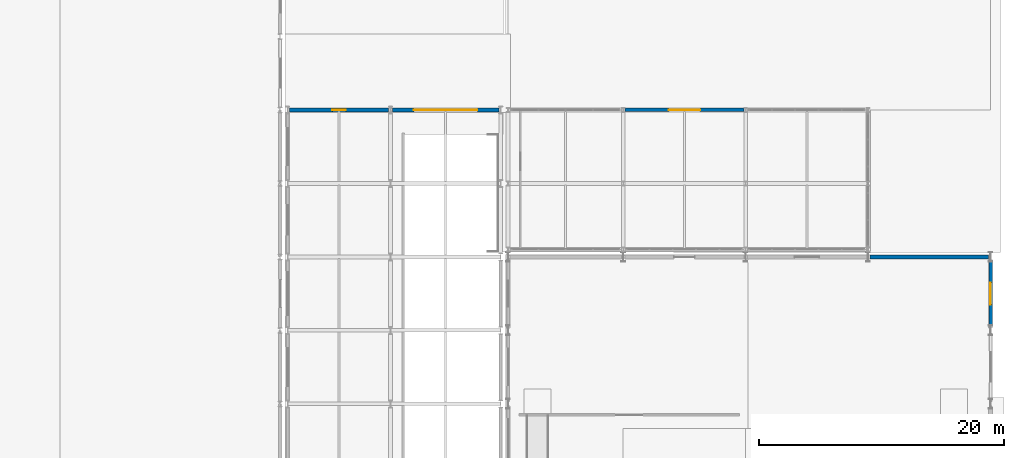
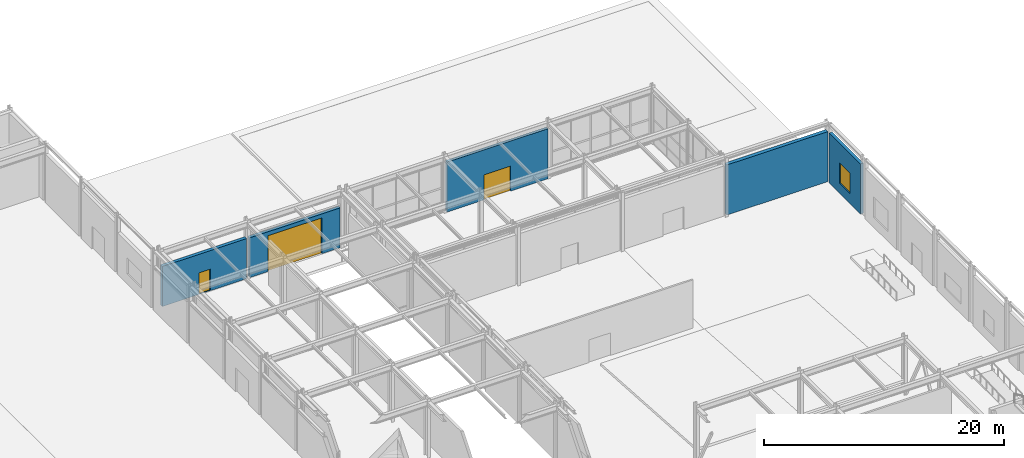
# One storey, part 127 of 146: 5 walls, 3 doors, 1 window, 4 openings.
"""IFC4 building model written with IfcOpenShell, lengths in metres."""

from ifc_helpers import new_model, si_unit, direction, frame, frame_2d, origin, place, context, subcontext, project, spatial, rectangle, extrude, material, layer, layer_set, type_object, element, fill, save


model = new_model("IFC4")

# Units and contexts
model_context = context("Model", 3, precision=1e-05, world=origin(), true_north=direction((0.0, 1.0)))
body_context = subcontext(model_context, "Body", "Model", "MODEL_VIEW")
ifc_project = project(units=[si_unit("LENGTHUNIT", "METRE"), si_unit("AREAUNIT", "SQUARE_METRE"), si_unit("VOLUMEUNIT", "CUBIC_METRE"), si_unit("PLANEANGLEUNIT", "RADIAN"), si_unit("MASSUNIT", "GRAM", prefix="KILO")], contexts=[model_context])

# Site, building, storey
site_placement = place(None, origin())
site = spatial("IfcSite", under=ifc_project, at=site_placement, CompositionType="ELEMENT")
building_placement = place(site_placement, origin())
building = spatial("IfcBuilding", under=site, at=building_placement, Name="Kaldris Quays Convention Centre", CompositionType="ELEMENT")
storey_placement = place(building_placement, origin())
storey = spatial("IfcBuildingStorey", under=building, at=storey_placement, Name="L00", CompositionType="ELEMENT", Elevation=0.0)

# Wall
ifc_material_1 = material(Name="Concrete C35/45", Category="concrete")
ifc_layer_1 = layer(ifc_material_1, 0.344970703125)
ifc_layer_set_1 = layer_set([ifc_layer_1], Name="Concrete C35/45")
wall_type_1 = type_object("IfcWallType", Name="EXTERIOR WALL EW01", PredefinedType="STANDARD", material=ifc_layer_set_1)
wall_1_placement = place(storey_placement, frame((194.14599609375, 104.0, 0.0), z_axis=(0.0, 0.0, 1.0), x_axis=(1.0, 0.0, 0.0)))
element("IfcWall", 1, at=wall_1_placement, inside=storey, type_object=wall_type_1, Name="L00 Exterior Wall EW01 99", PredefinedType="STANDARD", context=body_context, shape_type="SweptSolid", body=[
    extrude(rectangle(XDim=9.7080078125, YDim=0.344970703125, at=frame_2d((4.85400390625, 0.0))), origin(), (0.0, 0.0, 1.0), 5.10009765625),
])

# Wall, opening, door
ifc_layer_2 = layer(ifc_material_1, 0.31201171875)
ifc_layer_set_2 = layer_set([ifc_layer_2], Name="Concrete C35/45")
wall_type_2 = type_object("IfcWallType", Name="EXTERIOR WALL EW02", PredefinedType="STANDARD", material=ifc_layer_set_2)
wall_2_placement = place(storey_placement, frame((146.74609375, 116.0, 0.0), z_axis=(0.0, 0.0, 1.0), x_axis=(1.0, 0.0, 0.0)))
wall_2 = element("IfcWall", 2, at=wall_2_placement, inside=storey, type_object=wall_type_2, Name="L00 Exterior Wall EW02 287", PredefinedType="STANDARD", context=body_context, shape_type="SweptSolid", body=[
    extrude(rectangle(XDim=8.10791015625, YDim=0.31201171875, at=frame_2d((4.053955078125, 0.0))), origin(), (0.0, 0.0, 1.0), 4.080078125),
])
opening_1_placement = place(wall_2_placement, frame((3.50390625, 0.0, 0.0)))
opening_1 = element("IfcOpeningElement", 3, at=opening_1_placement, cuts=wall_2, Name="Opening ED05", PredefinedType="OPENING", context=body_context, shape_type="SweptSolid", body=[
    extrude(rectangle(XDim=1.10009765625, YDim=2.199951171875, at=frame_2d((0.550048828125, 1.10009765625))), frame((0.0, 0.166015625, 0.0), z_axis=(0.0, -1.0, 0.0), x_axis=(1.0, 0.0, 0.0)), (0.0, 0.0, 1.0), 0.33203125),
])
ifc_material_2 = material(Name="Thermally broken anodized aluminium and laminated safety glass", Category="aluminium")
door_type_1 = type_object("IfcDoorType", Name="EXTERIOR DOOR ED05", OperationType="NOTDEFINED", PredefinedType="DOOR", material=ifc_material_2)
door_1_placement = place(opening_1_placement, origin())
door_1 = element("IfcDoor", 4, at=door_1_placement, inside=storey, type_object=door_type_1, Name="L00 Exterior Exit Door ED05 33", OperationType="SINGLE_SWING_LEFT", OverallHeight=2.199951171875, OverallWidth=1.10009765625, PredefinedType="DOOR", context=body_context, shape_type="SweptSolid", body=[
    extrude(rectangle(XDim=1.10009765625, YDim=2.199951171875, at=frame_2d((0.550048828125, 1.10009765625))), frame((0.0, 0.02490234375, 0.0), z_axis=(0.0, -1.0, 0.0), x_axis=(1.0, 0.0, 0.0)), (0.0, 0.0, 1.0), 0.050048828125),
])
fill(opening_1, door_1)

wall_3_placement = place(storey_placement, frame((155.14599609375, 116.0, 0.0), z_axis=(0.0, 0.0, 1.0), x_axis=(1.0, 0.0, 0.0)))
wall_3 = element("IfcWall", 5, at=wall_3_placement, inside=storey, type_object=wall_type_2, Name="L00 Exterior Wall EW02 288", PredefinedType="STANDARD", context=body_context, shape_type="SweptSolid", body=[
    extrude(rectangle(XDim=8.7080078125, YDim=0.31201171875, at=frame_2d((4.35400390625, 0.0))), origin(), (0.0, 0.0, 1.0), 4.050048828125),
])
opening_2_placement = place(wall_3_placement, frame((1.75390625, 0.0, 0.0)))
opening_2 = element("IfcOpeningElement", 6, at=opening_2_placement, cuts=wall_3, Name="Opening VD01", PredefinedType="OPENING", context=body_context, shape_type="SweptSolid", body=[
    extrude(rectangle(XDim=5.199951171875, YDim=3.64990234375, at=frame_2d((2.60009765625, 1.824951171875))), frame((0.0, 0.166015625, 0.0), z_axis=(0.0, -1.0, 0.0), x_axis=(1.0, 0.0, 0.0)), (0.0, 0.0, 1.0), 0.33203125),
])
door_type_2 = type_object("IfcDoorType", Name="EXTERIOR GATE VD01", OperationType="ROLLINGUP", PredefinedType="GATE", material=ifc_material_2)
door_2_placement = place(opening_2_placement, origin())
door_2 = element("IfcDoor", 7, at=door_2_placement, inside=storey, type_object=door_type_2, Name="L00 Exterior Exit Door VD01 34", OperationType="ROLLINGUP", OverallHeight=3.64990234375, OverallWidth=5.199951171875, PredefinedType="GATE", context=body_context, shape_type="SweptSolid", body=[
    extrude(rectangle(XDim=5.199951171875, YDim=3.64990234375, at=frame_2d((2.60009765625, 1.824951171875))), frame((0.0, 0.02490234375, 0.0), z_axis=(0.0, -1.0, 0.0), x_axis=(1.0, 0.0, 0.0)), (0.0, 0.0, 1.0), 0.050048828125),
])
fill(opening_2, door_2)

# Wall, opening, window
ifc_material_3 = material(Name="Precast concrete C40/50", Category="concrete")
ifc_layer_3 = layer(ifc_material_3, 0.2880859375)
ifc_layer_set_3 = layer_set([ifc_layer_3], Name="Precast concrete C40/50")
wall_type_3 = type_object("IfcWallType", Name="EXTERIOR WALL EW03", PredefinedType="STANDARD", material=ifc_layer_set_3)
wall_4_placement = place(storey_placement, frame((204.0, 98.39599609375, 0.0), z_axis=(0.0, 0.0, 1.0), x_axis=(0.0, 1.0, 0.0)))
wall_4 = element("IfcWall", 8, at=wall_4_placement, inside=storey, type_object=wall_type_3, Name="L00 Exterior Wall EW03 114", PredefinedType="STANDARD", context=body_context, shape_type="SweptSolid", body=[
    extrude(rectangle(XDim=5.2080078125, YDim=0.2880859375, at=frame_2d((2.60400390625, 0.0))), origin(), (0.0, 0.0, 1.0), 5.10009765625),
])
opening_3_placement = place(wall_4_placement, frame((1.7041015625, 0.0, 1.0)))
opening_3 = element("IfcOpeningElement", 9, at=opening_3_placement, cuts=wall_4, Name="Opening WN03", PredefinedType="OPENING", context=body_context, shape_type="SweptSolid", body=[
    extrude(rectangle(XDim=1.800048828125, YDim=2.10009765625, at=frame_2d((0.89990234375, 1.050048828125))), frame((0.0, 0.154052734375, 0.0), z_axis=(0.0, -1.0, 0.0), x_axis=(1.0, 0.0, 0.0)), (0.0, 0.0, 1.0), 0.30810546875),
])
ifc_material_4 = material(Name="Triple low-E insulated glazing", Category="glass")
window_type = type_object("IfcWindowType", Name="TRIPLE GLAZED WINDOW WN03", PartitioningType="SINGLE_PANEL", PredefinedType="WINDOW", material=ifc_material_4)
window_placement = place(opening_3_placement, origin())
window = element("IfcWindow", 10, at=window_placement, inside=storey, type_object=window_type, Name="L00 Exterior Window WN03 35", OverallHeight=2.10009765625, OverallWidth=1.800048828125, PartitioningType="SINGLE_PANEL", PredefinedType="WINDOW", context=body_context, shape_type="SweptSolid", body=[
    extrude(rectangle(XDim=1.800048828125, YDim=2.10009765625, at=frame_2d((0.89990234375, 1.050048828125))), frame((0.0, 0.030029296875, 0.0), z_axis=(0.0, -1.0, 0.0), x_axis=(1.0, 0.0, 0.0)), (0.0, 0.0, 1.0), 0.06005859375),
])
fill(opening_3, window)

# Wall, opening, door
wall_5_placement = place(storey_placement, frame((174.14599609375, 116.0, 0.0), z_axis=(0.0, 0.0, 1.0), x_axis=(1.0, 0.0, 0.0)))
wall_5 = element("IfcWall", 11, at=wall_5_placement, inside=storey, type_object=wall_type_3, Name="L00 Exterior Wall EW03 359", PredefinedType="STANDARD", context=body_context, shape_type="SweptSolid", body=[
    extrude(rectangle(XDim=9.7080078125, YDim=0.2880859375, at=frame_2d((4.85400390625, 0.0))), origin(), (0.0, 0.0, 1.0), 5.097900390625),
])
opening_4_placement = place(wall_5_placement, frame((3.5791015625, 0.0, 0.0)))
opening_4 = element("IfcOpeningElement", 12, at=opening_4_placement, cuts=wall_5, Name="Opening ED11", PredefinedType="OPENING", context=body_context, shape_type="SweptSolid", body=[
    extrude(rectangle(XDim=2.550048828125, YDim=2.550048828125, at=frame_2d((1.27490234375, 1.27490234375))), frame((0.0, 0.154052734375, 0.0), z_axis=(0.0, -1.0, 0.0), x_axis=(1.0, 0.0, 0.0)), (0.0, 0.0, 1.0), 0.30810546875),
])
door_type_3 = type_object("IfcDoorType", Name="EXTERIOR DOOR ED11", OperationType="DOUBLE_DOOR_SINGLE_SWING", PredefinedType="DOOR", material=ifc_material_2)
door_3_placement = place(opening_4_placement, origin())
door_3 = element("IfcDoor", 13, at=door_3_placement, inside=storey, type_object=door_type_3, Name="L00 Exterior Exit Door ED11 36", OperationType="DOUBLE_DOOR_SINGLE_SWING", OverallHeight=2.550048828125, OverallWidth=2.550048828125, PredefinedType="DOOR", context=body_context, shape_type="SweptSolid", body=[
    extrude(rectangle(XDim=2.550048828125, YDim=2.550048828125, at=frame_2d((1.27490234375, 1.27490234375))), frame((0.0, 0.02490234375, 0.0), z_axis=(0.0, -1.0, 0.0), x_axis=(1.0, 0.0, 0.0)), (0.0, 0.0, 1.0), 0.050048828125),
])
fill(opening_4, door_3)

save(model, "model.ifc")
